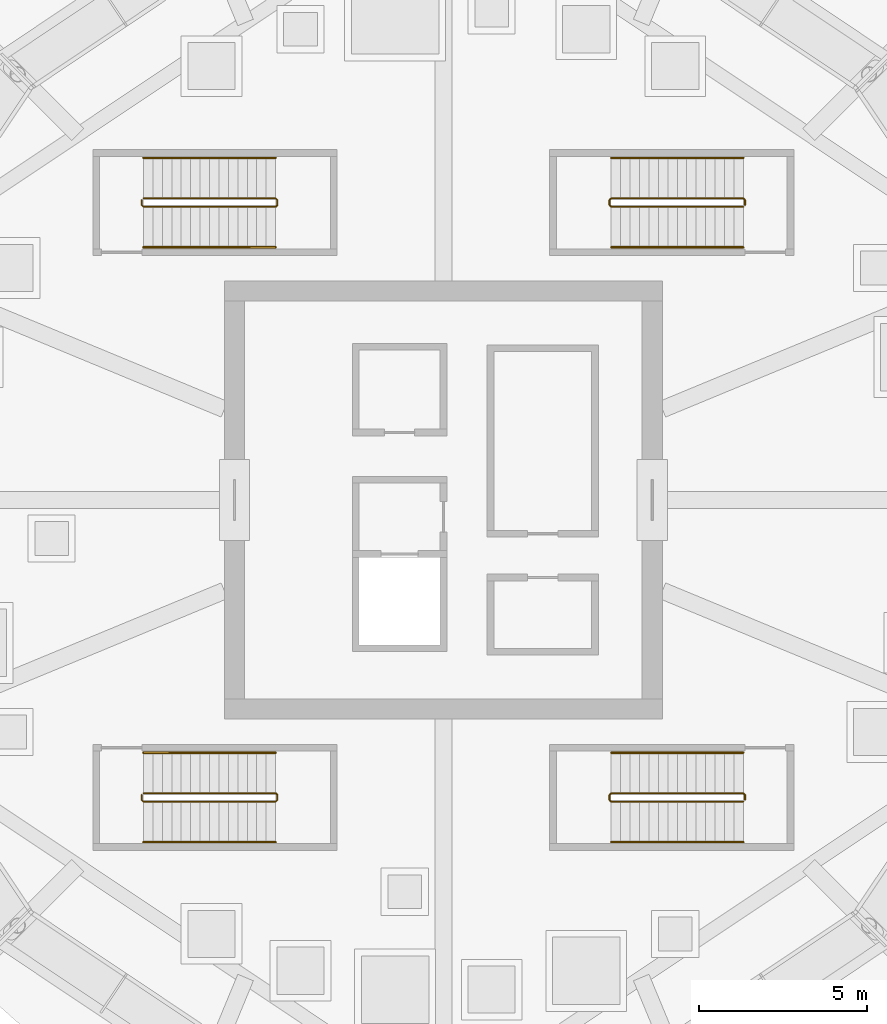
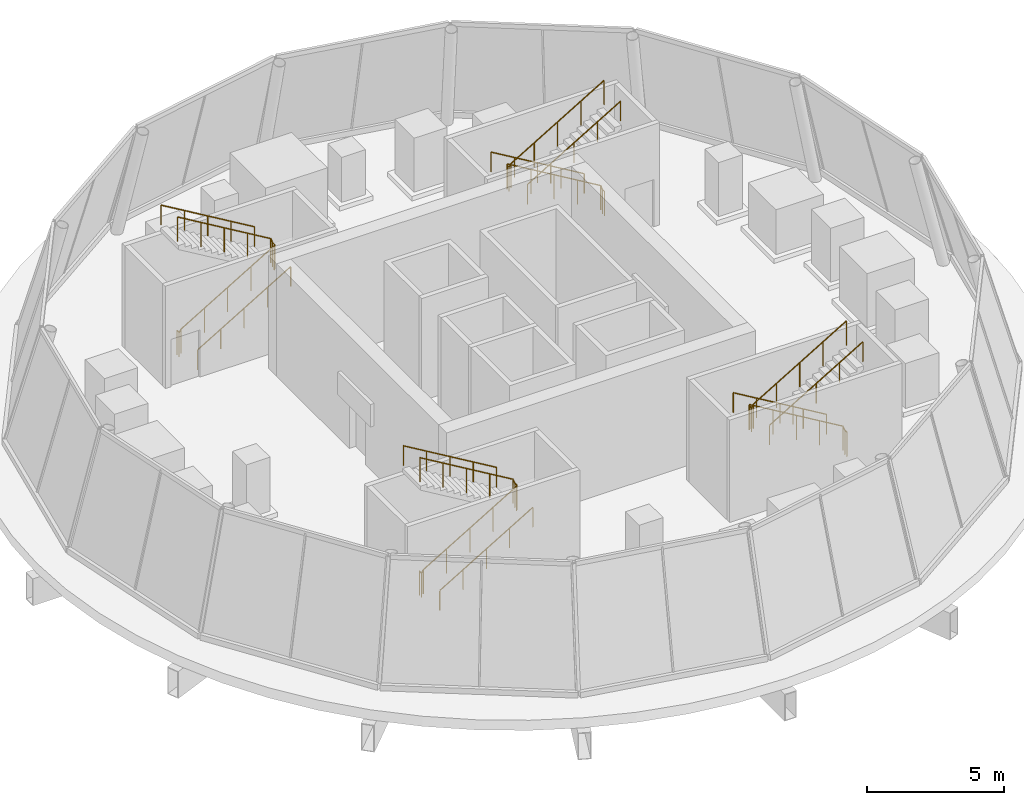
# One storey, part 6 of 7: 12 railings.
"""IFC4 building model written with IfcOpenShell, lengths in metres."""

from ifc_helpers import new_model, si_unit, direction, frame, origin, origin_2d, place, context, subcontext, project, spatial, circle, extrude, material, type_object, element, save


model = new_model("IFC4")

# Units and contexts
model_context = context("Model", 3, precision=1e-05, world=origin(), true_north=direction((0.0, 1.0)))
body_context = subcontext(model_context, "Body", "Model", "MODEL_VIEW")
ifc_project = project(units=[si_unit("LENGTHUNIT", "METRE"), si_unit("AREAUNIT", "SQUARE_METRE"), si_unit("VOLUMEUNIT", "CUBIC_METRE"), si_unit("PLANEANGLEUNIT", "RADIAN"), si_unit("MASSUNIT", "GRAM", prefix="KILO")], contexts=[model_context])

# Site, building, storey
site_placement = place(None, origin())
site = spatial("IfcSite", under=ifc_project, at=site_placement, CompositionType="ELEMENT")
building_placement = place(site_placement, origin())
building = spatial("IfcBuilding", under=site, at=building_placement, Name="Corvane Civic Tower", CompositionType="ELEMENT")
storey_placement = place(building_placement, frame((0.0, 0.0, 387.5)))
storey = spatial("IfcBuildingStorey", under=building, at=storey_placement, Name="L92", CompositionType="ELEMENT", Elevation=387.5)

# Railings
ifc_material_1 = material(Name="Steel ASTM A572 Gr 50", Category="steel")
railing_type_1 = type_object("IfcRailingType", Name="ST-GUARD-1100", PredefinedType="GUARDRAIL", material=ifc_material_1)
railing_1_placement = place(storey_placement, frame((8.949951171875, 8.75, 0.0)))
element("IfcRailing", 1, at=railing_1_placement, inside=storey, type_object=railing_type_1, Name="L92 ST1 stair guard 1", PredefinedType="GUARDRAIL", context=body_context, shape_type="SweptSolid", body=[
    extrude(circle(Radius=0.02392578125, at=origin_2d()), frame((0.0, 0.0, 1.076171875), z_axis=(0.0, 1.0, 0.0), x_axis=(-1.0, 0.0, 0.0)), (0.0, 0.0, 1.0), 0.14990234375),
    extrude(circle(Radius=0.02392578125, at=origin_2d()), frame((0.0, 0.14990234375, 1.076171875), z_axis=(-0.27628659633, 0.27628659633, 0.920506074601), x_axis=(-0.707106781187, -0.707106781187, 0.0)), (0.0, 0.0, 1.0), 0.18115234375),
    extrude(circle(Radius=0.02392578125, at=origin_2d()), frame((-0.050048828125, 0.199951171875, 1.24267578125), z_axis=(-0.859296244711, 0.0, 0.511478214419), x_axis=(0.0, -1.0, 0.0)), (0.0, 0.0, 1.0), 4.561767578125),
    extrude(circle(Radius=0.02392578125, at=origin_2d()), frame((-3.969970703125, 0.199951171875, 3.576171875), z_axis=(-0.707106781187, -0.707106781187, 0.0), x_axis=(0.707106781187, -0.707106781187, 0.0)), (0.0, 0.0, 1.0), 0.07080078125),
    extrude(circle(Radius=0.02392578125, at=origin_2d()), frame((-4.02001953125, 0.14990234375, 3.576171875), z_axis=(0.0, -1.0, 0.0), x_axis=(1.0, 0.0, 0.0)), (0.0, 0.0, 1.0), 0.14990234375),
    extrude(circle(Radius=0.02392578125, at=origin_2d()), frame((-4.02001953125, 0.0, 3.576171875), z_axis=(0.27628659633, -0.27628659633, 0.920506074601), x_axis=(0.707106781187, 0.707106781187, 0.0)), (0.0, 0.0, 1.0), 0.18115234375),
    extrude(circle(Radius=0.02392578125, at=origin_2d()), frame((-3.969970703125, -0.050048828125, 3.74267578125), z_axis=(0.859296244711, 0.0, 0.511478214419), x_axis=(0.0, 1.0, 0.0)), (0.0, 0.0, 1.0), 4.561767578125),
    extrude(circle(Radius=0.02099609375, at=origin_2d()), origin(), (0.0, 0.0, 1.0), 1.052001953125),
    extrude(circle(Radius=0.02099609375, at=origin_2d()), frame((0.0, 0.14990234375, 0.0)), (0.0, 0.0, 1.0), 1.052001953125),
    extrude(circle(Radius=0.02099609375, at=origin_2d()), frame((-0.050048828125, 0.199951171875, 0.166748046875)), (0.0, 0.0, 1.0), 1.052001953125),
    extrude(circle(Radius=0.02099609375, at=origin_2d()), frame((-1.030029296875, 0.199951171875, 0.75)), (0.0, 0.0, 1.0), 1.052001953125),
    extrude(circle(Radius=0.02099609375, at=origin_2d()), frame((-2.010009765625, 0.199951171875, 1.33349609375)), (0.0, 0.0, 1.0), 1.052001953125),
    extrude(circle(Radius=0.02099609375, at=origin_2d()), frame((-2.989990234375, 0.199951171875, 1.916748046875)), (0.0, 0.0, 1.0), 1.052001953125),
    extrude(circle(Radius=0.02099609375, at=origin_2d()), frame((-3.969970703125, 0.199951171875, 2.5)), (0.0, 0.0, 1.0), 1.052001953125),
    extrude(circle(Radius=0.02099609375, at=origin_2d()), frame((-4.02001953125, 0.14990234375, 2.5)), (0.0, 0.0, 1.0), 1.052001953125),
    extrude(circle(Radius=0.02099609375, at=origin_2d()), frame((-4.02001953125, 0.0, 2.5)), (0.0, 0.0, 1.0), 1.052001953125),
    extrude(circle(Radius=0.02099609375, at=origin_2d()), frame((-3.969970703125, -0.050048828125, 2.666748046875)), (0.0, 0.0, 1.0), 1.052001953125),
    extrude(circle(Radius=0.02099609375, at=origin_2d()), frame((-2.989990234375, -0.050048828125, 3.25)), (0.0, 0.0, 1.0), 1.052001953125),
    extrude(circle(Radius=0.02099609375, at=origin_2d()), frame((-2.010009765625, -0.050048828125, 3.83349609375)), (0.0, 0.0, 1.0), 1.052001953125),
    extrude(circle(Radius=0.02099609375, at=origin_2d()), frame((-1.030029296875, -0.050048828125, 4.416748046875)), (0.0, 0.0, 1.0), 1.052001953125),
    extrude(circle(Radius=0.02099609375, at=origin_2d()), frame((-0.050048828125, -0.050048828125, 5.0)), (0.0, 0.0, 1.0), 1.052001953125),
])
railing_2_placement = place(storey_placement, frame((8.949951171875, -8.89990234375, 0.0)))
element("IfcRailing", 2, at=railing_2_placement, inside=storey, type_object=railing_type_1, Name="L92 ST2 stair guard 1", PredefinedType="GUARDRAIL", context=body_context, shape_type="SweptSolid", body=[
    extrude(circle(Radius=0.02392578125, at=origin_2d()), frame((0.0, 0.0, 1.076171875), z_axis=(0.0, 1.0, 0.0), x_axis=(-1.0, 0.0, 0.0)), (0.0, 0.0, 1.0), 0.14990234375),
    extrude(circle(Radius=0.02392578125, at=origin_2d()), frame((0.0, 0.14990234375, 1.076171875), z_axis=(-0.27628659633, 0.27628659633, 0.920506074601), x_axis=(-0.707106781187, -0.707106781187, 0.0)), (0.0, 0.0, 1.0), 0.18115234375),
    extrude(circle(Radius=0.02392578125, at=origin_2d()), frame((-0.050048828125, 0.199951171875, 1.24267578125), z_axis=(-0.859296244711, 0.0, 0.511478214419), x_axis=(0.0, -1.0, 0.0)), (0.0, 0.0, 1.0), 4.561767578125),
    extrude(circle(Radius=0.02392578125, at=origin_2d()), frame((-3.969970703125, 0.199951171875, 3.576171875), z_axis=(-0.707106781187, -0.707106781187, 0.0), x_axis=(0.707106781187, -0.707106781187, 0.0)), (0.0, 0.0, 1.0), 0.07080078125),
    extrude(circle(Radius=0.02392578125, at=origin_2d()), frame((-4.02001953125, 0.14990234375, 3.576171875), z_axis=(0.0, -1.0, 0.0), x_axis=(1.0, 0.0, 0.0)), (0.0, 0.0, 1.0), 0.14990234375),
    extrude(circle(Radius=0.02392578125, at=origin_2d()), frame((-4.02001953125, 0.0, 3.576171875), z_axis=(0.27628659633, -0.27628659633, 0.920506074601), x_axis=(0.707106781187, 0.707106781187, 0.0)), (0.0, 0.0, 1.0), 0.18115234375),
    extrude(circle(Radius=0.02392578125, at=origin_2d()), frame((-3.969970703125, -0.050048828125, 3.74267578125), z_axis=(0.859296244711, 0.0, 0.511478214419), x_axis=(0.0, 1.0, 0.0)), (0.0, 0.0, 1.0), 4.561767578125),
    extrude(circle(Radius=0.02099609375, at=origin_2d()), origin(), (0.0, 0.0, 1.0), 1.052001953125),
    extrude(circle(Radius=0.02099609375, at=origin_2d()), frame((0.0, 0.14990234375, 0.0)), (0.0, 0.0, 1.0), 1.052001953125),
    extrude(circle(Radius=0.02099609375, at=origin_2d()), frame((-0.050048828125, 0.199951171875, 0.166748046875)), (0.0, 0.0, 1.0), 1.052001953125),
    extrude(circle(Radius=0.02099609375, at=origin_2d()), frame((-1.030029296875, 0.199951171875, 0.75)), (0.0, 0.0, 1.0), 1.052001953125),
    extrude(circle(Radius=0.02099609375, at=origin_2d()), frame((-2.010009765625, 0.199951171875, 1.33349609375)), (0.0, 0.0, 1.0), 1.052001953125),
    extrude(circle(Radius=0.02099609375, at=origin_2d()), frame((-2.989990234375, 0.199951171875, 1.916748046875)), (0.0, 0.0, 1.0), 1.052001953125),
    extrude(circle(Radius=0.02099609375, at=origin_2d()), frame((-3.969970703125, 0.199951171875, 2.5)), (0.0, 0.0, 1.0), 1.052001953125),
    extrude(circle(Radius=0.02099609375, at=origin_2d()), frame((-4.02001953125, 0.14990234375, 2.5)), (0.0, 0.0, 1.0), 1.052001953125),
    extrude(circle(Radius=0.02099609375, at=origin_2d()), frame((-4.02001953125, 0.0, 2.5)), (0.0, 0.0, 1.0), 1.052001953125),
    extrude(circle(Radius=0.02099609375, at=origin_2d()), frame((-3.969970703125, -0.050048828125, 2.666748046875)), (0.0, 0.0, 1.0), 1.052001953125),
    extrude(circle(Radius=0.02099609375, at=origin_2d()), frame((-2.989990234375, -0.050048828125, 3.25)), (0.0, 0.0, 1.0), 1.052001953125),
    extrude(circle(Radius=0.02099609375, at=origin_2d()), frame((-2.010009765625, -0.050048828125, 3.83349609375)), (0.0, 0.0, 1.0), 1.052001953125),
    extrude(circle(Radius=0.02099609375, at=origin_2d()), frame((-1.030029296875, -0.050048828125, 4.416748046875)), (0.0, 0.0, 1.0), 1.052001953125),
    extrude(circle(Radius=0.02099609375, at=origin_2d()), frame((-0.050048828125, -0.050048828125, 5.0)), (0.0, 0.0, 1.0), 1.052001953125),
])
railing_3_placement = place(storey_placement, frame((-8.949951171875, -8.75, 0.0)))
element("IfcRailing", 3, at=railing_3_placement, inside=storey, type_object=railing_type_1, Name="L92 ST3 stair guard 1", PredefinedType="GUARDRAIL", context=body_context, shape_type="SweptSolid", body=[
    extrude(circle(Radius=0.02392578125, at=origin_2d()), frame((0.0, 0.0, 1.076171875), z_axis=(0.0, -1.0, 0.0), x_axis=(1.0, 0.0, 0.0)), (0.0, 0.0, 1.0), 0.14990234375),
    extrude(circle(Radius=0.02392578125, at=origin_2d()), frame((0.0, -0.14990234375, 1.076171875), z_axis=(0.27628659633, -0.27628659633, 0.920506074601), x_axis=(0.707106781187, 0.707106781187, 0.0)), (0.0, 0.0, 1.0), 0.18115234375),
    extrude(circle(Radius=0.02392578125, at=origin_2d()), frame((0.050048828125, -0.199951171875, 1.24267578125), z_axis=(0.859296244711, 0.0, 0.511478214419), x_axis=(0.0, 1.0, 0.0)), (0.0, 0.0, 1.0), 4.561767578125),
    extrude(circle(Radius=0.02392578125, at=origin_2d()), frame((3.969970703125, -0.199951171875, 3.576171875), z_axis=(0.707106781187, 0.707106781187, 0.0), x_axis=(-0.707106781187, 0.707106781187, 0.0)), (0.0, 0.0, 1.0), 0.07080078125),
    extrude(circle(Radius=0.02392578125, at=origin_2d()), frame((4.02001953125, -0.14990234375, 3.576171875), z_axis=(0.0, 1.0, 0.0), x_axis=(-1.0, 0.0, 0.0)), (0.0, 0.0, 1.0), 0.14990234375),
    extrude(circle(Radius=0.02392578125, at=origin_2d()), frame((4.02001953125, 0.0, 3.576171875), z_axis=(-0.27628659633, 0.27628659633, 0.920506074601), x_axis=(-0.707106781187, -0.707106781187, 0.0)), (0.0, 0.0, 1.0), 0.18115234375),
    extrude(circle(Radius=0.02392578125, at=origin_2d()), frame((3.969970703125, 0.050048828125, 3.74267578125), z_axis=(-0.859296244711, 0.0, 0.511478214419), x_axis=(0.0, -1.0, 0.0)), (0.0, 0.0, 1.0), 4.561767578125),
    extrude(circle(Radius=0.02099609375, at=origin_2d()), origin(), (0.0, 0.0, 1.0), 1.052001953125),
    extrude(circle(Radius=0.02099609375, at=origin_2d()), frame((0.0, -0.14990234375, 0.0)), (0.0, 0.0, 1.0), 1.052001953125),
    extrude(circle(Radius=0.02099609375, at=origin_2d()), frame((0.050048828125, -0.199951171875, 0.166748046875)), (0.0, 0.0, 1.0), 1.052001953125),
    extrude(circle(Radius=0.02099609375, at=origin_2d()), frame((1.030029296875, -0.199951171875, 0.75)), (0.0, 0.0, 1.0), 1.052001953125),
    extrude(circle(Radius=0.02099609375, at=origin_2d()), frame((2.010009765625, -0.199951171875, 1.33349609375)), (0.0, 0.0, 1.0), 1.052001953125),
    extrude(circle(Radius=0.02099609375, at=origin_2d()), frame((2.989990234375, -0.199951171875, 1.916748046875)), (0.0, 0.0, 1.0), 1.052001953125),
    extrude(circle(Radius=0.02099609375, at=origin_2d()), frame((3.969970703125, -0.199951171875, 2.5)), (0.0, 0.0, 1.0), 1.052001953125),
    extrude(circle(Radius=0.02099609375, at=origin_2d()), frame((4.02001953125, -0.14990234375, 2.5)), (0.0, 0.0, 1.0), 1.052001953125),
    extrude(circle(Radius=0.02099609375, at=origin_2d()), frame((4.02001953125, 0.0, 2.5)), (0.0, 0.0, 1.0), 1.052001953125),
    extrude(circle(Radius=0.02099609375, at=origin_2d()), frame((3.969970703125, 0.050048828125, 2.666748046875)), (0.0, 0.0, 1.0), 1.052001953125),
    extrude(circle(Radius=0.02099609375, at=origin_2d()), frame((2.989990234375, 0.050048828125, 3.25)), (0.0, 0.0, 1.0), 1.052001953125),
    extrude(circle(Radius=0.02099609375, at=origin_2d()), frame((2.010009765625, 0.050048828125, 3.83349609375)), (0.0, 0.0, 1.0), 1.052001953125),
    extrude(circle(Radius=0.02099609375, at=origin_2d()), frame((1.030029296875, 0.050048828125, 4.416748046875)), (0.0, 0.0, 1.0), 1.052001953125),
    extrude(circle(Radius=0.02099609375, at=origin_2d()), frame((0.050048828125, 0.050048828125, 5.0)), (0.0, 0.0, 1.0), 1.052001953125),
])
railing_4_placement = place(storey_placement, frame((-8.949951171875, 8.89990234375, 0.0)))
element("IfcRailing", 4, at=railing_4_placement, inside=storey, type_object=railing_type_1, Name="L92 ST4 stair guard 1", PredefinedType="GUARDRAIL", context=body_context, shape_type="SweptSolid", body=[
    extrude(circle(Radius=0.02392578125, at=origin_2d()), frame((0.0, 0.0, 1.076171875), z_axis=(0.0, -1.0, 0.0), x_axis=(1.0, 0.0, 0.0)), (0.0, 0.0, 1.0), 0.14990234375),
    extrude(circle(Radius=0.02392578125, at=origin_2d()), frame((0.0, -0.14990234375, 1.076171875), z_axis=(0.27628659633, -0.27628659633, 0.920506074601), x_axis=(0.707106781187, 0.707106781187, 0.0)), (0.0, 0.0, 1.0), 0.18115234375),
    extrude(circle(Radius=0.02392578125, at=origin_2d()), frame((0.050048828125, -0.199951171875, 1.24267578125), z_axis=(0.859296244711, 0.0, 0.511478214419), x_axis=(0.0, 1.0, 0.0)), (0.0, 0.0, 1.0), 4.561767578125),
    extrude(circle(Radius=0.02392578125, at=origin_2d()), frame((3.969970703125, -0.199951171875, 3.576171875), z_axis=(0.707106781187, 0.707106781187, 0.0), x_axis=(-0.707106781187, 0.707106781187, 0.0)), (0.0, 0.0, 1.0), 0.07080078125),
    extrude(circle(Radius=0.02392578125, at=origin_2d()), frame((4.02001953125, -0.14990234375, 3.576171875), z_axis=(0.0, 1.0, 0.0), x_axis=(-1.0, 0.0, 0.0)), (0.0, 0.0, 1.0), 0.14990234375),
    extrude(circle(Radius=0.02392578125, at=origin_2d()), frame((4.02001953125, 0.0, 3.576171875), z_axis=(-0.27628659633, 0.27628659633, 0.920506074601), x_axis=(-0.707106781187, -0.707106781187, 0.0)), (0.0, 0.0, 1.0), 0.18115234375),
    extrude(circle(Radius=0.02392578125, at=origin_2d()), frame((3.969970703125, 0.050048828125, 3.74267578125), z_axis=(-0.859296244711, 0.0, 0.511478214419), x_axis=(0.0, -1.0, 0.0)), (0.0, 0.0, 1.0), 4.561767578125),
    extrude(circle(Radius=0.02099609375, at=origin_2d()), origin(), (0.0, 0.0, 1.0), 1.052001953125),
    extrude(circle(Radius=0.02099609375, at=origin_2d()), frame((0.0, -0.14990234375, 0.0)), (0.0, 0.0, 1.0), 1.052001953125),
    extrude(circle(Radius=0.02099609375, at=origin_2d()), frame((0.050048828125, -0.199951171875, 0.166748046875)), (0.0, 0.0, 1.0), 1.052001953125),
    extrude(circle(Radius=0.02099609375, at=origin_2d()), frame((1.030029296875, -0.199951171875, 0.75)), (0.0, 0.0, 1.0), 1.052001953125),
    extrude(circle(Radius=0.02099609375, at=origin_2d()), frame((2.010009765625, -0.199951171875, 1.33349609375)), (0.0, 0.0, 1.0), 1.052001953125),
    extrude(circle(Radius=0.02099609375, at=origin_2d()), frame((2.989990234375, -0.199951171875, 1.916748046875)), (0.0, 0.0, 1.0), 1.052001953125),
    extrude(circle(Radius=0.02099609375, at=origin_2d()), frame((3.969970703125, -0.199951171875, 2.5)), (0.0, 0.0, 1.0), 1.052001953125),
    extrude(circle(Radius=0.02099609375, at=origin_2d()), frame((4.02001953125, -0.14990234375, 2.5)), (0.0, 0.0, 1.0), 1.052001953125),
    extrude(circle(Radius=0.02099609375, at=origin_2d()), frame((4.02001953125, 0.0, 2.5)), (0.0, 0.0, 1.0), 1.052001953125),
    extrude(circle(Radius=0.02099609375, at=origin_2d()), frame((3.969970703125, 0.050048828125, 2.666748046875)), (0.0, 0.0, 1.0), 1.052001953125),
    extrude(circle(Radius=0.02099609375, at=origin_2d()), frame((2.989990234375, 0.050048828125, 3.25)), (0.0, 0.0, 1.0), 1.052001953125),
    extrude(circle(Radius=0.02099609375, at=origin_2d()), frame((2.010009765625, 0.050048828125, 3.83349609375)), (0.0, 0.0, 1.0), 1.052001953125),
    extrude(circle(Radius=0.02099609375, at=origin_2d()), frame((1.030029296875, 0.050048828125, 4.416748046875)), (0.0, 0.0, 1.0), 1.052001953125),
    extrude(circle(Radius=0.02099609375, at=origin_2d()), frame((0.050048828125, 0.050048828125, 5.0)), (0.0, 0.0, 1.0), 1.052001953125),
])
ifc_material_2 = material(Name="Steel ASTM A572 Gr 50", Category="steel")
railing_type_2 = type_object("IfcRailingType", Name="ST-HANDRAIL-900", PredefinedType="HANDRAIL", material=ifc_material_2)
railing_5_placement = place(storey_placement, frame((8.89990234375, 10.14990234375, 0.166748046875)))
element("IfcRailing", 5, at=railing_5_placement, inside=storey, type_object=railing_type_2, Name="L92 ST1 stair handrail 1", PredefinedType="HANDRAIL", context=body_context, shape_type="SweptSolid", body=[
    extrude(circle(Radius=0.02392578125, at=origin_2d()), frame((0.0, 0.0, 0.8759765625), z_axis=(-0.859296244711, 0.0, 0.511478214419), x_axis=(0.0, -1.0, 0.0)), (0.0, 0.0, 1.0), 4.561767578125),
    extrude(circle(Radius=0.02099609375, at=origin_2d()), origin(), (0.0, 0.0, 1.0), 0.851806640625),
    extrude(circle(Radius=0.02099609375, at=origin_2d()), frame((-0.97998046875, 0.0, 0.583251953125)), (0.0, 0.0, 1.0), 0.851806640625),
    extrude(circle(Radius=0.02099609375, at=origin_2d()), frame((-1.9599609375, 0.0, 1.16650390625)), (0.0, 0.0, 1.0), 0.851806640625),
    extrude(circle(Radius=0.02099609375, at=origin_2d()), frame((-2.93994140625, 0.0, 1.75)), (0.0, 0.0, 1.0), 0.851806640625),
    extrude(circle(Radius=0.02099609375, at=origin_2d()), frame((-3.919921875, 0.0, 2.333251953125)), (0.0, 0.0, 1.0), 0.851806640625),
])
railing_6_placement = place(storey_placement, frame((4.97998046875, 7.5, 2.666748046875)))
element("IfcRailing", 6, at=railing_6_placement, inside=storey, type_object=railing_type_2, Name="L92 ST1 stair handrail 2", PredefinedType="HANDRAIL", context=body_context, shape_type="SweptSolid", body=[
    extrude(circle(Radius=0.02392578125, at=origin_2d()), frame((0.0, 0.0, 0.8759765625), z_axis=(0.859296244711, 0.0, 0.511478214419), x_axis=(0.0, 1.0, 0.0)), (0.0, 0.0, 1.0), 4.561767578125),
    extrude(circle(Radius=0.02099609375, at=origin_2d()), origin(), (0.0, 0.0, 1.0), 0.851806640625),
    extrude(circle(Radius=0.02099609375, at=origin_2d()), frame((0.97998046875, 0.0, 0.583251953125)), (0.0, 0.0, 1.0), 0.851806640625),
    extrude(circle(Radius=0.02099609375, at=origin_2d()), frame((1.9599609375, 0.0, 1.16650390625)), (0.0, 0.0, 1.0), 0.851806640625),
    extrude(circle(Radius=0.02099609375, at=origin_2d()), frame((2.93994140625, 0.0, 1.75)), (0.0, 0.0, 1.0), 0.851806640625),
    extrude(circle(Radius=0.02099609375, at=origin_2d()), frame((3.919921875, 0.0, 2.333251953125)), (0.0, 0.0, 1.0), 0.851806640625),
])
railing_7_placement = place(storey_placement, frame((8.89990234375, -7.5, 0.166748046875)))
element("IfcRailing", 7, at=railing_7_placement, inside=storey, type_object=railing_type_2, Name="L92 ST2 stair handrail 1", PredefinedType="HANDRAIL", context=body_context, shape_type="SweptSolid", body=[
    extrude(circle(Radius=0.02392578125, at=origin_2d()), frame((0.0, 0.0, 0.8759765625), z_axis=(-0.859296244711, 0.0, 0.511478214419), x_axis=(0.0, -1.0, 0.0)), (0.0, 0.0, 1.0), 4.561767578125),
    extrude(circle(Radius=0.02099609375, at=origin_2d()), origin(), (0.0, 0.0, 1.0), 0.851806640625),
    extrude(circle(Radius=0.02099609375, at=origin_2d()), frame((-0.97998046875, 0.0, 0.583251953125)), (0.0, 0.0, 1.0), 0.851806640625),
    extrude(circle(Radius=0.02099609375, at=origin_2d()), frame((-1.9599609375, 0.0, 1.16650390625)), (0.0, 0.0, 1.0), 0.851806640625),
    extrude(circle(Radius=0.02099609375, at=origin_2d()), frame((-2.93994140625, 0.0, 1.75)), (0.0, 0.0, 1.0), 0.851806640625),
    extrude(circle(Radius=0.02099609375, at=origin_2d()), frame((-3.919921875, 0.0, 2.333251953125)), (0.0, 0.0, 1.0), 0.851806640625),
])
for number, where, name in (
    (8, (4.97998046875, -10.14990234375, 2.666748046875), "L92 ST2 stair handrail 2"),
    (9, (-8.89990234375, -10.14990234375, 0.166748046875), "L92 ST3 stair handrail 1"),
):
    element("IfcRailing", number, at=place(storey_placement, frame(where)), inside=storey, type_object=railing_type_2, Name=name, PredefinedType="HANDRAIL", context=body_context, shape_type="SweptSolid", body=[
        extrude(circle(Radius=0.02392578125, at=origin_2d()), frame((0.0, 0.0, 0.8759765625), z_axis=(0.859296244711, 0.0, 0.511478214419), x_axis=(0.0, 1.0, 0.0)), (0.0, 0.0, 1.0), 4.561767578125),
        extrude(circle(Radius=0.02099609375, at=origin_2d()), origin(), (0.0, 0.0, 1.0), 0.851806640625),
        extrude(circle(Radius=0.02099609375, at=origin_2d()), frame((0.97998046875, 0.0, 0.583251953125)), (0.0, 0.0, 1.0), 0.851806640625),
        extrude(circle(Radius=0.02099609375, at=origin_2d()), frame((1.9599609375, 0.0, 1.16650390625)), (0.0, 0.0, 1.0), 0.851806640625),
        extrude(circle(Radius=0.02099609375, at=origin_2d()), frame((2.93994140625, 0.0, 1.75)), (0.0, 0.0, 1.0), 0.851806640625),
        extrude(circle(Radius=0.02099609375, at=origin_2d()), frame((3.919921875, 0.0, 2.333251953125)), (0.0, 0.0, 1.0), 0.851806640625),
    ])
railing_8_placement = place(storey_placement, frame((-4.97998046875, -7.5, 2.666748046875)))
element("IfcRailing", 10, at=railing_8_placement, inside=storey, type_object=railing_type_2, Name="L92 ST3 stair handrail 2", PredefinedType="HANDRAIL", context=body_context, shape_type="SweptSolid", body=[
    extrude(circle(Radius=0.02392578125, at=origin_2d()), frame((0.0, 0.0, 0.8759765625), z_axis=(-0.859296244711, 0.0, 0.511478214419), x_axis=(0.0, -1.0, 0.0)), (0.0, 0.0, 1.0), 4.561767578125),
    extrude(circle(Radius=0.02099609375, at=origin_2d()), origin(), (0.0, 0.0, 1.0), 0.851806640625),
    extrude(circle(Radius=0.02099609375, at=origin_2d()), frame((-0.97998046875, 0.0, 0.583251953125)), (0.0, 0.0, 1.0), 0.851806640625),
    extrude(circle(Radius=0.02099609375, at=origin_2d()), frame((-1.9599609375, 0.0, 1.16650390625)), (0.0, 0.0, 1.0), 0.851806640625),
    extrude(circle(Radius=0.02099609375, at=origin_2d()), frame((-2.93994140625, 0.0, 1.75)), (0.0, 0.0, 1.0), 0.851806640625),
    extrude(circle(Radius=0.02099609375, at=origin_2d()), frame((-3.919921875, 0.0, 2.333251953125)), (0.0, 0.0, 1.0), 0.851806640625),
])
railing_9_placement = place(storey_placement, frame((-8.89990234375, 7.5, 0.166748046875)))
element("IfcRailing", 11, at=railing_9_placement, inside=storey, type_object=railing_type_2, Name="L92 ST4 stair handrail 1", PredefinedType="HANDRAIL", context=body_context, shape_type="SweptSolid", body=[
    extrude(circle(Radius=0.02392578125, at=origin_2d()), frame((0.0, 0.0, 0.8759765625), z_axis=(0.859296244711, 0.0, 0.511478214419), x_axis=(0.0, 1.0, 0.0)), (0.0, 0.0, 1.0), 4.561767578125),
    extrude(circle(Radius=0.02099609375, at=origin_2d()), origin(), (0.0, 0.0, 1.0), 0.851806640625),
    extrude(circle(Radius=0.02099609375, at=origin_2d()), frame((0.97998046875, 0.0, 0.583251953125)), (0.0, 0.0, 1.0), 0.851806640625),
    extrude(circle(Radius=0.02099609375, at=origin_2d()), frame((1.9599609375, 0.0, 1.16650390625)), (0.0, 0.0, 1.0), 0.851806640625),
    extrude(circle(Radius=0.02099609375, at=origin_2d()), frame((2.93994140625, 0.0, 1.75)), (0.0, 0.0, 1.0), 0.851806640625),
    extrude(circle(Radius=0.02099609375, at=origin_2d()), frame((3.919921875, 0.0, 2.333251953125)), (0.0, 0.0, 1.0), 0.851806640625),
])
railing_10_placement = place(storey_placement, frame((-4.97998046875, 10.14990234375, 2.666748046875)))
element("IfcRailing", 12, at=railing_10_placement, inside=storey, type_object=railing_type_2, Name="L92 ST4 stair handrail 2", PredefinedType="HANDRAIL", context=body_context, shape_type="SweptSolid", body=[
    extrude(circle(Radius=0.02392578125, at=origin_2d()), frame((0.0, 0.0, 0.8759765625), z_axis=(-0.859296244711, 0.0, 0.511478214419), x_axis=(0.0, -1.0, 0.0)), (0.0, 0.0, 1.0), 4.561767578125),
    extrude(circle(Radius=0.02099609375, at=origin_2d()), origin(), (0.0, 0.0, 1.0), 0.851806640625),
    extrude(circle(Radius=0.02099609375, at=origin_2d()), frame((-0.97998046875, 0.0, 0.583251953125)), (0.0, 0.0, 1.0), 0.851806640625),
    extrude(circle(Radius=0.02099609375, at=origin_2d()), frame((-1.9599609375, 0.0, 1.16650390625)), (0.0, 0.0, 1.0), 0.851806640625),
    extrude(circle(Radius=0.02099609375, at=origin_2d()), frame((-2.93994140625, 0.0, 1.75)), (0.0, 0.0, 1.0), 0.851806640625),
    extrude(circle(Radius=0.02099609375, at=origin_2d()), frame((-3.919921875, 0.0, 2.333251953125)), (0.0, 0.0, 1.0), 0.851806640625),
])

save(model, "model.ifc")
